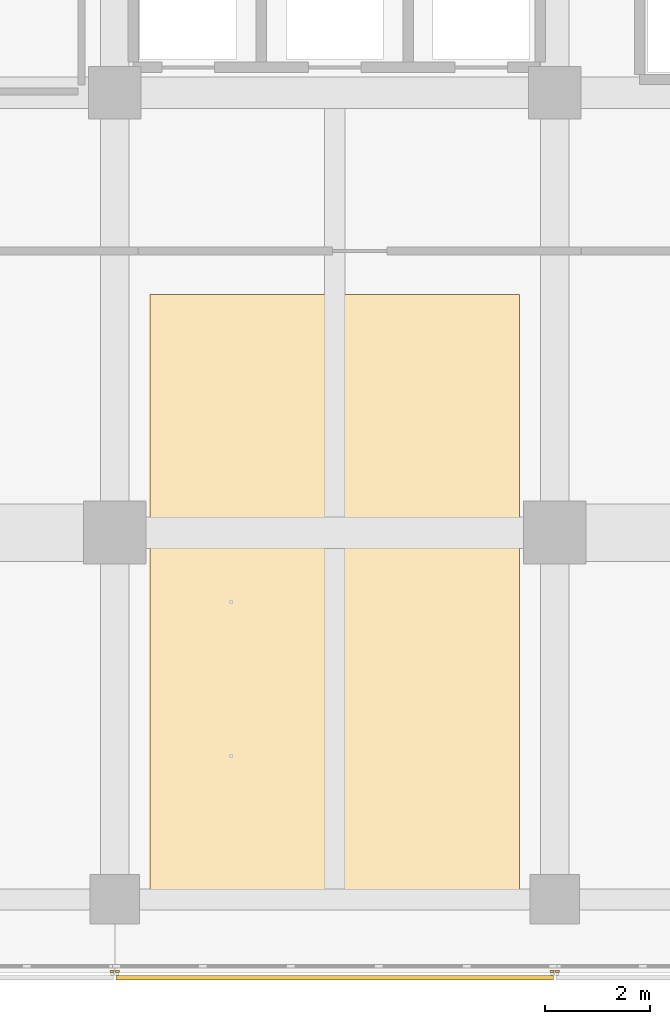
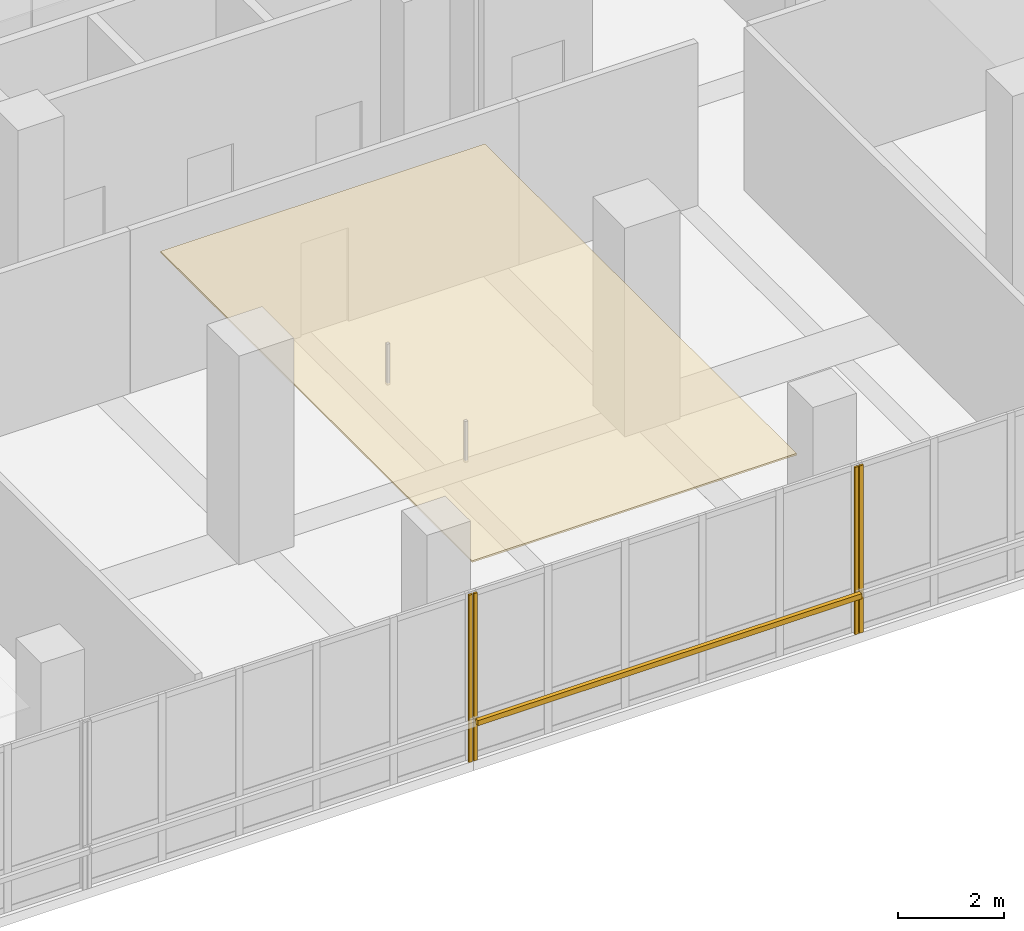
# One storey, part 110 of 122: 5 coverings, 1 shading device.
"""IFC4 building model written with IfcOpenShell, lengths in metres."""

import ifcopenshell
import ifcopenshell.guid

model = None  # the IFC model being written
_history = None  # IfcOwnerHistory: only IFC2X3 demands one
_inside = {}  # id of a spatial element -> (the spatial element, [elements in it])
_under = {}  # id of a project, library or spatial element -> (it, [spatial elements below it])
_declared = {}  # id of a project -> (the project, [libraries it declares])
_typed = {}  # id of a type object -> (the type object, [elements of that type])
_made_of = {}  # id of a material, layer set ... -> (it, [elements and type objects made of it])


def new_model(schema):
    """Start an empty IFC model of exactly this schema.

    Asked for "IFC4X3", IfcOpenShell would pick the latest addendum, in which some entities
    have other attributes; the version numbers below select the first issue.
    IFC2X3 requires an IfcOwnerHistory on every rooted entity: one is made here for all.
    """
    global model, _history
    if schema == "IFC4X3":
        model = ifcopenshell.file(schema_version=(4, 3, 0, 0))
    else:
        model = ifcopenshell.file(schema=schema)
    _inside.clear()
    _under.clear()
    _declared.clear()
    _typed.clear()
    _made_of.clear()
    _history = None
    if model.schema == "IFC2X3":
        org = make("IfcOrganization", Name="unknown")
        user = make(
            "IfcPersonAndOrganization",
            ThePerson=make("IfcPerson", FamilyName="unknown"),
            TheOrganization=org,
        )
        app = make(
            "IfcApplication",
            ApplicationDeveloper=org,
            Version="unknown",
            ApplicationFullName="unknown",
            ApplicationIdentifier="unknown",
        )
        _history = make(
            "IfcOwnerHistory",
            OwningUser=user,
            OwningApplication=app,
            ChangeAction="ADDED",
            CreationDate=0,
        )
    return model


def make(cls, **values):
    """One entity of the class cls with the attributes given. An attribute that is None is left unset."""
    return model.create_entity(
        cls, **{name: value for name, value in values.items() if value is not None}
    )


def rooted(cls, **values):
    """An entity with a GlobalId (a new one), such as an element, a storey or a relation."""
    return make(cls, GlobalId=ifcopenshell.guid.new(), OwnerHistory=_history, **values)


def si_unit(unit_type, name, prefix=None):
    """IfcSIUnit, for example si_unit("LENGTHUNIT", "METRE", prefix="MILLI")."""
    return make("IfcSIUnit", UnitType=unit_type, Prefix=prefix, Name=name)


def assignment(units):
    """IfcUnitAssignment: the units of a project."""
    return None if units is None else make("IfcUnitAssignment", Units=units)


def point(xyz):
    """IfcCartesianPoint."""
    return None if xyz is None else make("IfcCartesianPoint", Coordinates=xyz)


def direction(xyz):
    """IfcDirection."""
    return None if xyz is None else make("IfcDirection", DirectionRatios=xyz)


def frame(location, z_axis=None, x_axis=None):
    """IfcAxis2Placement3D, a coordinate frame: its origin and axes. An axis left out is left unset."""
    return make(
        "IfcAxis2Placement3D",
        Location=point(location),
        Axis=direction(z_axis),
        RefDirection=direction(x_axis),
    )


def frame_2d(location, x_axis=None):
    """IfcAxis2Placement2D, a coordinate frame in the plane: its origin and x axis."""
    return make(
        "IfcAxis2Placement2D", Location=point(location), RefDirection=direction(x_axis)
    )


def origin():
    """The frame at (0, 0, 0) with its axes left unset."""
    return frame((0.0, 0.0, 0.0))


def origin_2d():
    """The frame at (0, 0) in the plane with its x axis left unset."""
    return frame_2d((0.0, 0.0))


def place(relative_to, where):
    """IfcLocalPlacement: puts the frame where relative to a parent placement (None: the world)."""
    return make(
        "IfcLocalPlacement", PlacementRelTo=relative_to, RelativePlacement=where
    )


def context(
    kind, dimensions, precision=None, world=None, true_north=None, identifier=None
):
    """IfcGeometricRepresentationContext, for example the 3D "Model" context."""
    return make(
        "IfcGeometricRepresentationContext",
        ContextIdentifier=identifier,
        ContextType=kind,
        CoordinateSpaceDimension=dimensions,
        Precision=precision,
        WorldCoordinateSystem=world,
        TrueNorth=true_north,
    )


def subcontext(parent, identifier, kind, view, scale=None):
    """IfcGeometricRepresentationSubContext, for example "Body" below "Model"."""
    return make(
        "IfcGeometricRepresentationSubContext",
        ContextIdentifier=identifier,
        ContextType=kind,
        ParentContext=parent,
        TargetScale=scale,
        TargetView=view,
    )


def project(units=None, contexts=None):
    """IfcProject with its units and contexts."""
    return rooted(
        "IfcProject",
        Name="project",
        RepresentationContexts=contexts,
        UnitsInContext=assignment(units),
    )


def spatial(cls, under=None, at=None, **own):
    """A site, building, storey or space (cls), placed at a placement, below another one or the project."""
    s = rooted(cls, ObjectPlacement=at, **own)
    if under is not None:
        _under.setdefault(under.id(), (under, []))[1].append(s)
    return s


def polyline(points):
    """IfcPolyline through the points."""
    return make("IfcPolyline", Points=[point(p) for p in points])


def profile(cls, at=None, kind="AREA", **sizes):
    """A parametric profile (cls). Its sizes go by their IFC names, for example OverallWidth=200.0."""
    return make(cls, ProfileType=kind, Position=at, **sizes)


def rectangle(**sizes):
    """IfcRectangleProfileDef."""
    return profile("IfcRectangleProfileDef", **sizes)


def outline(outer, holes=None, kind="AREA"):
    """IfcArbitraryClosedProfileDef: a profile drawn as a closed curve; with holes, ...WithVoids."""
    if holes is None:
        return make("IfcArbitraryClosedProfileDef", ProfileType=kind, OuterCurve=outer)
    return make(
        "IfcArbitraryProfileDefWithVoids",
        ProfileType=kind,
        OuterCurve=outer,
        InnerCurves=holes,
    )


def extrude(swept, where, along, depth):
    """IfcExtrudedAreaSolid: the profile swept, set in the frame where, extruded along a direction by depth."""
    return make(
        "IfcExtrudedAreaSolid",
        SweptArea=swept,
        Position=where,
        ExtrudedDirection=direction(along),
        Depth=depth,
    )


def shape(context_of_items, identifier, shape_type, items):
    """IfcShapeRepresentation: the items that make up one representation, for example the "Body"."""
    return make(
        "IfcShapeRepresentation",
        ContextOfItems=context_of_items,
        RepresentationIdentifier=identifier,
        RepresentationType=shape_type,
        Items=items,
    )


def material(Name=None, Category=None):
    """IfcMaterial."""
    return make("IfcMaterial", Name=Name, Category=Category)


def layer(
    of_material, thickness, ventilated=None, Name=None, Category=None, Priority=None
):
    """IfcMaterialLayer: one layer of a wall or slab, of a material (None: an air gap)."""
    return make(
        "IfcMaterialLayer",
        Material=of_material,
        LayerThickness=thickness,
        IsVentilated=ventilated,
        Name=Name,
        Category=Category,
        Priority=Priority,
    )


def layer_set(layers, Name=None):
    """IfcMaterialLayerSet."""
    return make("IfcMaterialLayerSet", MaterialLayers=layers, LayerSetName=Name)


def made_of(thing, what):
    """Note that an element or type object is made of a material, layer set ...; save() writes the relation."""
    if what is not None:
        _made_of.setdefault(what.id(), (what, []))[1].append(thing)
    return thing


def type_object(cls, material=None, **own):
    """A type object (cls), such as IfcWallType, which elements share."""
    return made_of(rooted(cls, **own), material)


def element(
    cls,
    number,
    at=None,
    inside=None,
    cuts=None,
    type_object=None,
    material=None,
    context=None,
    identifier="Body",
    shape_type=None,
    held_by="IfcProductDefinitionShape",
    body=None,
    shapes=None,
    **own,
):
    """One element of the class cls, such as IfcWall. Its Tag is "e" and its number.

    at: its placement. inside: the storey or other place that contains it. cuts: it is an
    opening in that element (IfcRelVoidsElement). A single representation is given by context,
    identifier, shape_type and body (its items); several are given by shapes. held_by: the class
    of the entity that holds the representations. save() writes the other relations.
    """
    e = rooted(cls, Tag="e%d" % number, ObjectPlacement=at, **own)
    if body is not None:
        shapes = [shape(context, identifier, shape_type, body)]
    if shapes is not None:
        e.Representation = make(held_by, Representations=shapes)
    if inside is not None:
        _inside.setdefault(inside.id(), (inside, []))[1].append(e)
    if cuts is not None:
        rooted(
            "IfcRelVoidsElement", RelatingBuildingElement=cuts, RelatedOpeningElement=e
        )
    if type_object is not None:
        _typed.setdefault(type_object.id(), (type_object, []))[1].append(e)
    return made_of(e, material)


def aggregate(whole, parts):
    """IfcRelAggregates: a whole, such as a stair, and the parts it consists of."""
    return rooted("IfcRelAggregates", RelatingObject=whole, RelatedObjects=parts)


def save(model, path):
    """Write the relations noted so far, then the file.

    IfcRelAggregates (storeys below a building ...), IfcRelContainedInSpatialStructure (elements
    in a storey), IfcRelDefinesByType, IfcRelAssociatesMaterial and IfcRelDeclares: one each for
    every whole, place, type object, material and project.
    """
    for whole, parts in _under.values():
        aggregate(whole, parts)
    for where, things in _inside.values():
        rooted(
            "IfcRelContainedInSpatialStructure",
            RelatedElements=things,
            RelatingStructure=where,
        )
    for kind, things in _typed.values():
        rooted("IfcRelDefinesByType", RelatedObjects=things, RelatingType=kind)
    for what, things in _made_of.values():
        rooted("IfcRelAssociatesMaterial", RelatedObjects=things, RelatingMaterial=what)
    for by, libraries in _declared.values():
        rooted("IfcRelDeclares", RelatingContext=by, RelatedDefinitions=libraries)
    model.write(path)


model = new_model("IFC4")

# Units and contexts
model_context = context("Model", 3, precision=1e-05, world=origin(), true_north=direction((0.0, 1.0)))
body_context = subcontext(model_context, "Body", "Model", "MODEL_VIEW")
ifc_project = project(units=[si_unit("LENGTHUNIT", "METRE"), si_unit("AREAUNIT", "SQUARE_METRE"), si_unit("VOLUMEUNIT", "CUBIC_METRE"), si_unit("PLANEANGLEUNIT", "RADIAN"), si_unit("MASSUNIT", "GRAM", prefix="KILO")], contexts=[model_context])

# Site, building, storey
site_placement = place(None, origin())
site = spatial("IfcSite", under=ifc_project, at=site_placement, CompositionType="ELEMENT")
building_placement = place(site_placement, origin())
building = spatial("IfcBuilding", under=site, at=building_placement, Name="Telukmera Botanical Conservatory", CompositionType="ELEMENT")
storey_placement = place(building_placement, frame((0.0, 0.0, 10.199951171875)))
storey = spatial("IfcBuildingStorey", under=building, at=storey_placement, Name="L02", CompositionType="ELEMENT", Elevation=10.199951171875)

# Coverings
ifc_material_1 = material(Name="Perforated gypsum acoustic ceiling")
ifc_layer_1 = layer(ifc_material_1, 0.0400390625)
ifc_layer_set_1 = layer_set([ifc_layer_1], Name="Perforated gypsum acoustic ceiling")
covering_type_1 = type_object("IfcCoveringType", Name="COV-CEIL-40", PredefinedType="CEILING", material=ifc_layer_set_1)
covering_placement = place(storey_placement, frame((0.0, 0.0, 3.610107421875)))
element("IfcCovering", 1, at=covering_placement, inside=storey, type_object=covering_type_1, Name="L02 Herbarium Digitization Studio Suspended Acoustic Ceiling", PredefinedType="CEILING", context=body_context, shape_type="SweptSolid", body=[
    extrude(outline(polyline([(76.27001953125, 10.39990234375), (83.330078125, 10.39990234375), (83.330078125, 22.14990234375), (76.27001953125, 22.14990234375), (76.27001953125, 10.39990234375)])), origin(), (0.0, 0.0, 1.0), 0.0400390625),
])
ifc_material_2 = material(Name="Granite-faced precast concrete C40/50", Category="masonry")
ifc_layer_2 = layer(ifc_material_2, 0.0400390625)
ifc_layer_set_2 = layer_set([ifc_layer_2], Name="Granite-faced precast concrete C40/50")
covering_type_2 = type_object("IfcCoveringType", Name="Granite Precast Column Pier Reveal Casing", PredefinedType="CLADDING", material=ifc_layer_set_2)
for number, where, z_axis, x_axis, name in (
    (2, (75.548095703125, 9.219970703125, 0.0), (0.0, 0.0, 1.0), (1.0, 0.0, 0.0), "Granite Pier Reveal V4:L02:S3 R"),
    (3, (75.652099609375, 9.219970703125, 0.0), (0.0, 0.0, 1.0), (1.0, 0.0, 0.0), "Granite Pier Reveal V4:L02:S4 L"),
    (4, (83.947998046875, 9.219970703125, 0.0), (0.0, 0.0, 1.0), (1.0, 0.0, 0.0), "Granite Pier Reveal V4:L02:S4 R"),
    (5, (84.052001953125, 9.219970703125, 0.0), (0.0, 0.0, 1.0), (1.0, 0.0, 0.0), "Granite Pier Reveal V4:L02:S5 L"),
):
    element("IfcCovering", number, at=place(storey_placement, frame(where, z_axis=z_axis, x_axis=x_axis)), inside=storey, type_object=covering_type_2, Name=name, PredefinedType="CLADDING", context=body_context, shape_type="SweptSolid", body=[
        extrude(rectangle(XDim=0.080078125, YDim=0.0400390625, at=origin_2d()), origin(), (0.0, 0.0, 1.0), 3.85009765625),
    ])

# Shading device
ifc_material_3 = material(Name="Perforated terracotta-anodised aluminium 6063-T6", Category="masonry")
ifc_layer_3 = layer(ifc_material_3, 0.044921875)
ifc_layer_set_3 = layer_set([ifc_layer_3], Name="Perforated terracotta-anodised aluminium 6063-T6")
shading_device_type = type_object("IfcShadingDeviceType", Name="Perforated Terracotta Aluminium Monsoon Brise Soleil", PredefinedType="JALOUSIE", material=ifc_layer_set_3)
shading_device_placement = place(storey_placement, frame((79.800048828125, 9.10498046875, 0.889892578125), z_axis=(0.0, 0.0, 1.0), x_axis=(1.0, 0.0, 0.0)))
element("IfcShadingDevice", 6, at=shading_device_placement, inside=storey, type_object=shading_device_type, Name="Monsoon Shading BS01 V4:L02:S4", PredefinedType="JALOUSIE", context=body_context, shape_type="SweptSolid", body=[
    extrude(rectangle(XDim=8.35595703125, YDim=0.090087890625, at=origin_2d()), origin(), (0.0, 0.0, 1.0), 0.1201171875),
])

save(model, "model.ifc")
